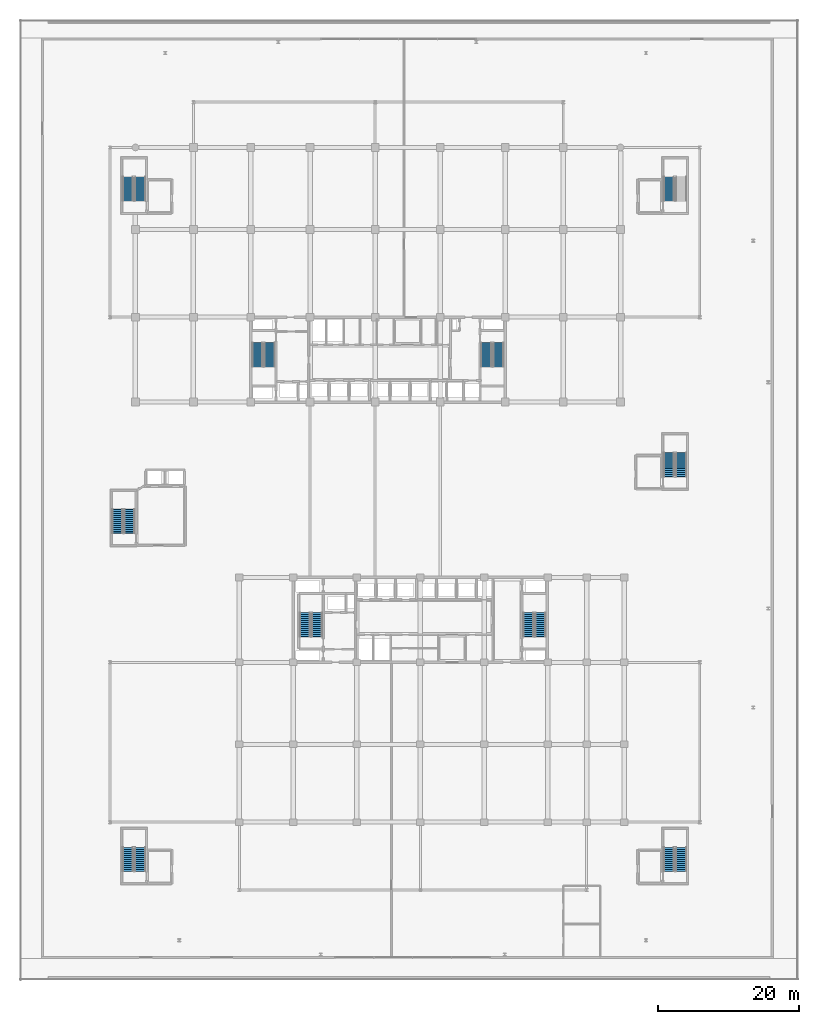
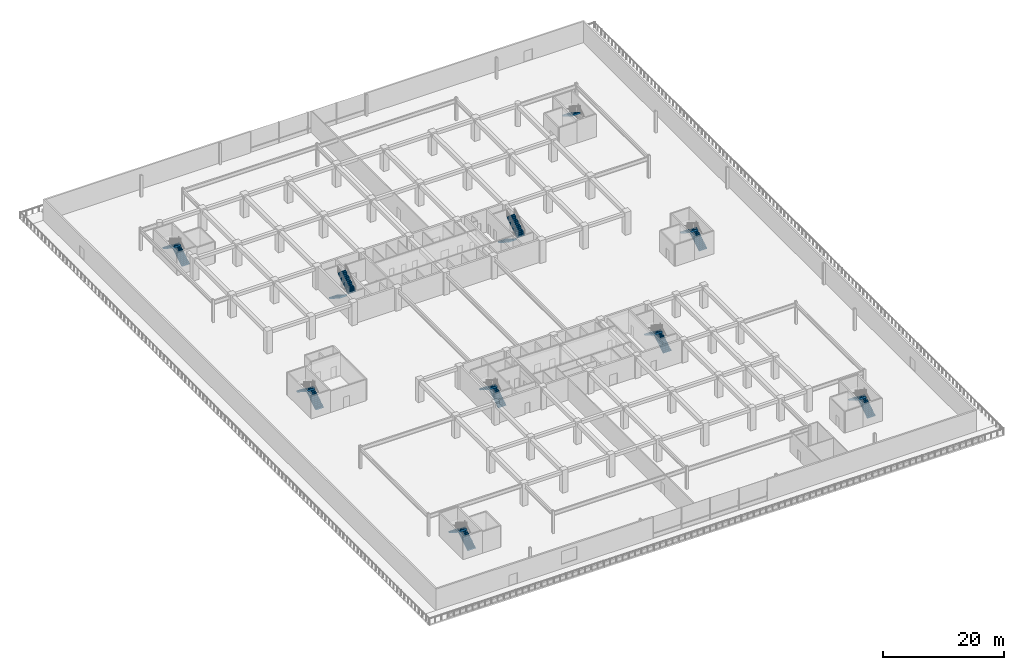
# One storey, part 30 of 45: 19 stair flights, 10 elements without a shape of their own.
"""IFC4 building model written with IfcOpenShell, lengths in metres."""

import ifcopenshell
import ifcopenshell.guid

model = None  # the IFC model being written
_history = None  # IfcOwnerHistory: only IFC2X3 demands one
_inside = {}  # id of a spatial element -> (the spatial element, [elements in it])
_under = {}  # id of a project, library or spatial element -> (it, [spatial elements below it])
_declared = {}  # id of a project -> (the project, [libraries it declares])
_typed = {}  # id of a type object -> (the type object, [elements of that type])
_made_of = {}  # id of a material, layer set ... -> (it, [elements and type objects made of it])


def new_model(schema):
    """Start an empty IFC model of exactly this schema.

    Asked for "IFC4X3", IfcOpenShell would pick the latest addendum, in which some entities
    have other attributes; the version numbers below select the first issue.
    IFC2X3 requires an IfcOwnerHistory on every rooted entity: one is made here for all.
    """
    global model, _history
    if schema == "IFC4X3":
        model = ifcopenshell.file(schema_version=(4, 3, 0, 0))
    else:
        model = ifcopenshell.file(schema=schema)
    _inside.clear()
    _under.clear()
    _declared.clear()
    _typed.clear()
    _made_of.clear()
    _history = None
    if model.schema == "IFC2X3":
        org = make("IfcOrganization", Name="unknown")
        user = make(
            "IfcPersonAndOrganization",
            ThePerson=make("IfcPerson", FamilyName="unknown"),
            TheOrganization=org,
        )
        app = make(
            "IfcApplication",
            ApplicationDeveloper=org,
            Version="unknown",
            ApplicationFullName="unknown",
            ApplicationIdentifier="unknown",
        )
        _history = make(
            "IfcOwnerHistory",
            OwningUser=user,
            OwningApplication=app,
            ChangeAction="ADDED",
            CreationDate=0,
        )
    return model


def make(cls, **values):
    """One entity of the class cls with the attributes given. An attribute that is None is left unset."""
    return model.create_entity(
        cls, **{name: value for name, value in values.items() if value is not None}
    )


def rooted(cls, **values):
    """An entity with a GlobalId (a new one), such as an element, a storey or a relation."""
    return make(cls, GlobalId=ifcopenshell.guid.new(), OwnerHistory=_history, **values)


def si_unit(unit_type, name, prefix=None):
    """IfcSIUnit, for example si_unit("LENGTHUNIT", "METRE", prefix="MILLI")."""
    return make("IfcSIUnit", UnitType=unit_type, Prefix=prefix, Name=name)


def assignment(units):
    """IfcUnitAssignment: the units of a project."""
    return None if units is None else make("IfcUnitAssignment", Units=units)


def point(xyz):
    """IfcCartesianPoint."""
    return None if xyz is None else make("IfcCartesianPoint", Coordinates=xyz)


def direction(xyz):
    """IfcDirection."""
    return None if xyz is None else make("IfcDirection", DirectionRatios=xyz)


def frame(location, z_axis=None, x_axis=None):
    """IfcAxis2Placement3D, a coordinate frame: its origin and axes. An axis left out is left unset."""
    return make(
        "IfcAxis2Placement3D",
        Location=point(location),
        Axis=direction(z_axis),
        RefDirection=direction(x_axis),
    )


def origin():
    """The frame at (0, 0, 0) with its axes left unset."""
    return frame((0.0, 0.0, 0.0))


def place(relative_to, where):
    """IfcLocalPlacement: puts the frame where relative to a parent placement (None: the world)."""
    return make(
        "IfcLocalPlacement", PlacementRelTo=relative_to, RelativePlacement=where
    )


def context(
    kind, dimensions, precision=None, world=None, true_north=None, identifier=None
):
    """IfcGeometricRepresentationContext, for example the 3D "Model" context."""
    return make(
        "IfcGeometricRepresentationContext",
        ContextIdentifier=identifier,
        ContextType=kind,
        CoordinateSpaceDimension=dimensions,
        Precision=precision,
        WorldCoordinateSystem=world,
        TrueNorth=true_north,
    )


def subcontext(parent, identifier, kind, view, scale=None):
    """IfcGeometricRepresentationSubContext, for example "Body" below "Model"."""
    return make(
        "IfcGeometricRepresentationSubContext",
        ContextIdentifier=identifier,
        ContextType=kind,
        ParentContext=parent,
        TargetScale=scale,
        TargetView=view,
    )


def project(units=None, contexts=None):
    """IfcProject with its units and contexts."""
    return rooted(
        "IfcProject",
        Name="project",
        RepresentationContexts=contexts,
        UnitsInContext=assignment(units),
    )


def spatial(cls, under=None, at=None, **own):
    """A site, building, storey or space (cls), placed at a placement, below another one or the project."""
    s = rooted(cls, ObjectPlacement=at, **own)
    if under is not None:
        _under.setdefault(under.id(), (under, []))[1].append(s)
    return s


def polyline(points):
    """IfcPolyline through the points."""
    return make("IfcPolyline", Points=[point(p) for p in points])


def outline(outer, holes=None, kind="AREA"):
    """IfcArbitraryClosedProfileDef: a profile drawn as a closed curve; with holes, ...WithVoids."""
    if holes is None:
        return make("IfcArbitraryClosedProfileDef", ProfileType=kind, OuterCurve=outer)
    return make(
        "IfcArbitraryProfileDefWithVoids",
        ProfileType=kind,
        OuterCurve=outer,
        InnerCurves=holes,
    )


def extrude(swept, where, along, depth):
    """IfcExtrudedAreaSolid: the profile swept, set in the frame where, extruded along a direction by depth."""
    return make(
        "IfcExtrudedAreaSolid",
        SweptArea=swept,
        Position=where,
        ExtrudedDirection=direction(along),
        Depth=depth,
    )


def shape(context_of_items, identifier, shape_type, items):
    """IfcShapeRepresentation: the items that make up one representation, for example the "Body"."""
    return make(
        "IfcShapeRepresentation",
        ContextOfItems=context_of_items,
        RepresentationIdentifier=identifier,
        RepresentationType=shape_type,
        Items=items,
    )


def material(Name=None, Category=None):
    """IfcMaterial."""
    return make("IfcMaterial", Name=Name, Category=Category)


def made_of(thing, what):
    """Note that an element or type object is made of a material, layer set ...; save() writes the relation."""
    if what is not None:
        _made_of.setdefault(what.id(), (what, []))[1].append(thing)
    return thing


def type_object(cls, material=None, **own):
    """A type object (cls), such as IfcWallType, which elements share."""
    return made_of(rooted(cls, **own), material)


def element(
    cls,
    number,
    at=None,
    inside=None,
    cuts=None,
    type_object=None,
    material=None,
    context=None,
    identifier="Body",
    shape_type=None,
    held_by="IfcProductDefinitionShape",
    body=None,
    shapes=None,
    **own,
):
    """One element of the class cls, such as IfcWall. Its Tag is "e" and its number.

    at: its placement. inside: the storey or other place that contains it. cuts: it is an
    opening in that element (IfcRelVoidsElement). A single representation is given by context,
    identifier, shape_type and body (its items); several are given by shapes. held_by: the class
    of the entity that holds the representations. save() writes the other relations.
    """
    e = rooted(cls, Tag="e%d" % number, ObjectPlacement=at, **own)
    if body is not None:
        shapes = [shape(context, identifier, shape_type, body)]
    if shapes is not None:
        e.Representation = make(held_by, Representations=shapes)
    if inside is not None:
        _inside.setdefault(inside.id(), (inside, []))[1].append(e)
    if cuts is not None:
        rooted(
            "IfcRelVoidsElement", RelatingBuildingElement=cuts, RelatedOpeningElement=e
        )
    if type_object is not None:
        _typed.setdefault(type_object.id(), (type_object, []))[1].append(e)
    return made_of(e, material)


def aggregate(whole, parts):
    """IfcRelAggregates: a whole, such as a stair, and the parts it consists of."""
    return rooted("IfcRelAggregates", RelatingObject=whole, RelatedObjects=parts)


def save(model, path):
    """Write the relations noted so far, then the file.

    IfcRelAggregates (storeys below a building ...), IfcRelContainedInSpatialStructure (elements
    in a storey), IfcRelDefinesByType, IfcRelAssociatesMaterial and IfcRelDeclares: one each for
    every whole, place, type object, material and project.
    """
    for whole, parts in _under.values():
        aggregate(whole, parts)
    for where, things in _inside.values():
        rooted(
            "IfcRelContainedInSpatialStructure",
            RelatedElements=things,
            RelatingStructure=where,
        )
    for kind, things in _typed.values():
        rooted("IfcRelDefinesByType", RelatedObjects=things, RelatingType=kind)
    for what, things in _made_of.values():
        rooted("IfcRelAssociatesMaterial", RelatedObjects=things, RelatingMaterial=what)
    for by, libraries in _declared.values():
        rooted("IfcRelDeclares", RelatingContext=by, RelatedDefinitions=libraries)
    model.write(path)


model = new_model("IFC4")

# Units and contexts
model_context = context("Model", 3, precision=1e-05, world=origin(), true_north=direction((0.0, 1.0)))
body_context = subcontext(model_context, "Body", "Model", "MODEL_VIEW")
ifc_project = project(units=[si_unit("LENGTHUNIT", "METRE"), si_unit("AREAUNIT", "SQUARE_METRE"), si_unit("VOLUMEUNIT", "CUBIC_METRE"), si_unit("PLANEANGLEUNIT", "RADIAN"), si_unit("MASSUNIT", "GRAM", prefix="KILO")], contexts=[model_context])

# Site, building, storey
site_placement = place(None, origin())
site = spatial("IfcSite", under=ifc_project, at=site_placement, CompositionType="ELEMENT")
building_placement = place(site_placement, origin())
building = spatial("IfcBuilding", under=site, at=building_placement, Name="Korimba Cascade Residences", CompositionType="ELEMENT")
storey_placement = place(building_placement, frame((0.0, 0.0, 5.39990234375)))
storey = spatial("IfcBuildingStorey", under=building, at=storey_placement, Name="L01", CompositionType="ELEMENT", Elevation=5.39990234375)

# Stair, stair flights
ifc_material = material(Name="Concrete C50/60", Category="concrete")
stair_type_1 = type_object("IfcStairType", Name="STR-W1-26R-1769", PredefinedType="HALF_TURN_STAIR", material=ifc_material)
stair_1_placement = place(storey_placement, origin())
stair_1 = element("IfcStair", 1, at=stair_1_placement, inside=storey, type_object=stair_type_1, Name="L01 Tower 1 West Fire Stair ST-W1", PredefinedType="HALF_TURN_STAIR")
stair_flight_type = type_object("IfcStairFlightType", Name="STF-DL-26R-1769-1520", PredefinedType="STRAIGHT", material=ifc_material)
stair_flight_1_placement = place(storey_placement, frame((77.06005859375, 63.550048828125, 0.0), z_axis=(0.0, 0.0, 1.0), x_axis=(0.0, -1.0, 0.0)))
stair_flight_1 = element("IfcStairFlight", 2, at=stair_flight_1_placement, type_object=stair_flight_type, Name="ST-W1 flight 1", NumberOfRisers=13, NumberOfTreads=12, PredefinedType="STRAIGHT", RiserHeight=0.176923077, TreadLength=0.28, context=body_context, shape_type="SweptSolid", body=[
    extrude(outline(polyline([(-0.0380859375, 0.0), (0.0, 0.177001953125), (0.280029296875, 0.177001953125), (0.280029296875, 0.353759765625), (0.56005859375, 0.353759765625), (0.56005859375, 0.53076171875), (0.840087890625, 0.53076171875), (0.840087890625, 0.707763671875), (1.1201171875, 0.707763671875), (1.1201171875, 0.884521484375), (1.39990234375, 0.884521484375), (1.39990234375, 1.0615234375), (1.679931640625, 1.0615234375), (1.679931640625, 1.238525390625), (1.9599609375, 1.238525390625), (1.9599609375, 1.415283203125), (2.239990234375, 1.415283203125), (2.239990234375, 1.59228515625), (2.52001953125, 1.59228515625), (2.52001953125, 1.769287109375), (2.800048828125, 1.769287109375), (2.800048828125, 1.946044921875), (3.080078125, 1.946044921875), (3.080078125, 2.123046875), (3.360107421875, 2.123046875), (3.360107421875, 2.300048828125), (3.39794921875, 2.300048828125), (3.39794921875, 1.94580078125), (0.280517578125, 0.0), (0.280517578125, -0.0380859375), (-0.0380859375, -0.0380859375), (-0.0380859375, 0.0)])), frame((0.0, 0.760009765625, 0.0), z_axis=(0.0, -1.0, 0.0), x_axis=(1.0, 0.0, 0.0)), (0.0, 0.0, 1.0), 1.52001953125),
])
stair_flight_2_placement = place(storey_placement, frame((78.780029296875, 60.18994140625, 2.300048828125), z_axis=(0.0, 0.0, 1.0), x_axis=(0.0, 1.0, 0.0)))
stair_flight_2 = element("IfcStairFlight", 3, at=stair_flight_2_placement, type_object=stair_flight_type, Name="ST-W1 flight 2", NumberOfRisers=13, NumberOfTreads=12, PredefinedType="STRAIGHT", RiserHeight=0.176923077, TreadLength=0.28, context=body_context, shape_type="SweptSolid", body=[
    extrude(outline(polyline([(-0.0380859375, 0.0), (0.0, 0.177001953125), (0.280029296875, 0.177001953125), (0.280029296875, 0.353759765625), (0.56005859375, 0.353759765625), (0.56005859375, 0.53076171875), (0.840087890625, 0.53076171875), (0.840087890625, 0.707763671875), (1.1201171875, 0.707763671875), (1.1201171875, 0.884521484375), (1.39990234375, 0.884521484375), (1.39990234375, 1.0615234375), (1.679931640625, 1.0615234375), (1.679931640625, 1.238525390625), (1.9599609375, 1.238525390625), (1.9599609375, 1.415283203125), (2.239990234375, 1.415283203125), (2.239990234375, 1.59228515625), (2.52001953125, 1.59228515625), (2.52001953125, 1.769287109375), (2.800048828125, 1.769287109375), (2.800048828125, 1.946044921875), (3.080078125, 1.946044921875), (3.080078125, 2.123046875), (3.360107421875, 2.123046875), (3.360107421875, 2.300048828125), (3.39794921875, 2.300048828125), (3.39794921875, 1.94580078125), (0.280517578125, 0.0), (0.280517578125, -0.0380859375), (-0.0380859375, -0.0380859375), (-0.0380859375, 0.0)])), frame((0.0, 0.760009765625, 0.0), z_axis=(0.0, -1.0, 0.0), x_axis=(1.0, 0.0, 0.0)), (0.0, 0.0, 1.0), 1.52001953125),
])
aggregate(stair_1, [stair_flight_1, stair_flight_2])

stair_type_2 = type_object("IfcStairType", Name="STR-W2-26R-1769", PredefinedType="HALF_TURN_STAIR", material=ifc_material)
stair_2_placement = place(storey_placement, origin())
stair_2 = element("IfcStair", 4, at=stair_2_placement, inside=storey, type_object=stair_type_2, Name="L01 Tower 1 East Fire Stair ST-W2", PredefinedType="HALF_TURN_STAIR")
stair_flight_3_placement = place(storey_placement, frame((109.419921875, 63.550048828125, 0.0), z_axis=(0.0, 0.0, 1.0), x_axis=(0.0, -1.0, 0.0)))
stair_flight_3 = element("IfcStairFlight", 5, at=stair_flight_3_placement, type_object=stair_flight_type, Name="ST-W2 flight 1", NumberOfRisers=13, NumberOfTreads=12, PredefinedType="STRAIGHT", RiserHeight=0.176923077, TreadLength=0.28, context=body_context, shape_type="SweptSolid", body=[
    extrude(outline(polyline([(-0.0380859375, 0.0), (0.0, 0.177001953125), (0.280029296875, 0.177001953125), (0.280029296875, 0.353759765625), (0.56005859375, 0.353759765625), (0.56005859375, 0.53076171875), (0.840087890625, 0.53076171875), (0.840087890625, 0.707763671875), (1.1201171875, 0.707763671875), (1.1201171875, 0.884521484375), (1.39990234375, 0.884521484375), (1.39990234375, 1.0615234375), (1.679931640625, 1.0615234375), (1.679931640625, 1.238525390625), (1.9599609375, 1.238525390625), (1.9599609375, 1.415283203125), (2.239990234375, 1.415283203125), (2.239990234375, 1.59228515625), (2.52001953125, 1.59228515625), (2.52001953125, 1.769287109375), (2.800048828125, 1.769287109375), (2.800048828125, 1.946044921875), (3.080078125, 1.946044921875), (3.080078125, 2.123046875), (3.360107421875, 2.123046875), (3.360107421875, 2.300048828125), (3.39794921875, 2.300048828125), (3.39794921875, 1.94580078125), (0.280517578125, 0.0), (0.280517578125, -0.0380859375), (-0.0380859375, -0.0380859375), (-0.0380859375, 0.0)])), frame((0.0, 0.760009765625, 0.0), z_axis=(0.0, -1.0, 0.0), x_axis=(1.0, 0.0, 0.0)), (0.0, 0.0, 1.0), 1.52001953125),
])
stair_flight_4_placement = place(storey_placement, frame((111.139892578125, 60.18994140625, 2.300048828125), z_axis=(0.0, 0.0, 1.0), x_axis=(0.0, 1.0, 0.0)))
stair_flight_4 = element("IfcStairFlight", 6, at=stair_flight_4_placement, type_object=stair_flight_type, Name="ST-W2 flight 2", NumberOfRisers=13, NumberOfTreads=12, PredefinedType="STRAIGHT", RiserHeight=0.176923077, TreadLength=0.28, context=body_context, shape_type="SweptSolid", body=[
    extrude(outline(polyline([(-0.0380859375, 0.0), (0.0, 0.177001953125), (0.280029296875, 0.177001953125), (0.280029296875, 0.353759765625), (0.56005859375, 0.353759765625), (0.56005859375, 0.53076171875), (0.840087890625, 0.53076171875), (0.840087890625, 0.707763671875), (1.1201171875, 0.707763671875), (1.1201171875, 0.884521484375), (1.39990234375, 0.884521484375), (1.39990234375, 1.0615234375), (1.679931640625, 1.0615234375), (1.679931640625, 1.238525390625), (1.9599609375, 1.238525390625), (1.9599609375, 1.415283203125), (2.239990234375, 1.415283203125), (2.239990234375, 1.59228515625), (2.52001953125, 1.59228515625), (2.52001953125, 1.769287109375), (2.800048828125, 1.769287109375), (2.800048828125, 1.946044921875), (3.080078125, 1.946044921875), (3.080078125, 2.123046875), (3.360107421875, 2.123046875), (3.360107421875, 2.300048828125), (3.39794921875, 2.300048828125), (3.39794921875, 1.94580078125), (0.280517578125, 0.0), (0.280517578125, -0.0380859375), (-0.0380859375, -0.0380859375), (-0.0380859375, 0.0)])), frame((0.0, 0.760009765625, 0.0), z_axis=(0.0, -1.0, 0.0), x_axis=(1.0, 0.0, 0.0)), (0.0, 0.0, 1.0), 1.52001953125),
])
aggregate(stair_2, [stair_flight_3, stair_flight_4])

stair_type_3 = type_object("IfcStairType", Name="STR-E1-26R-1769", PredefinedType="HALF_TURN_STAIR", material=ifc_material)
stair_3_placement = place(storey_placement, origin())
stair_3 = element("IfcStair", 7, at=stair_3_placement, inside=storey, type_object=stair_type_3, Name="L01 Tower 2 West Fire Stair ST-E1", PredefinedType="HALF_TURN_STAIR")
stair_flight_5_placement = place(storey_placement, frame((85.47998046875, 22.050048828125, 0.0), z_axis=(0.0, 0.0, 1.0), x_axis=(0.0, 1.0, 0.0)))
stair_flight_5 = element("IfcStairFlight", 8, at=stair_flight_5_placement, type_object=stair_flight_type, Name="ST-E1 flight 1", NumberOfRisers=13, NumberOfTreads=12, PredefinedType="STRAIGHT", RiserHeight=0.176923077, TreadLength=0.28, context=body_context, shape_type="SweptSolid", body=[
    extrude(outline(polyline([(-0.0380859375, 0.0), (0.0, 0.177001953125), (0.280029296875, 0.177001953125), (0.280029296875, 0.353759765625), (0.56005859375, 0.353759765625), (0.56005859375, 0.53076171875), (0.840087890625, 0.53076171875), (0.840087890625, 0.707763671875), (1.1201171875, 0.707763671875), (1.1201171875, 0.884521484375), (1.39990234375, 0.884521484375), (1.39990234375, 1.0615234375), (1.679931640625, 1.0615234375), (1.679931640625, 1.238525390625), (1.9599609375, 1.238525390625), (1.9599609375, 1.415283203125), (2.239990234375, 1.415283203125), (2.239990234375, 1.59228515625), (2.52001953125, 1.59228515625), (2.52001953125, 1.769287109375), (2.800048828125, 1.769287109375), (2.800048828125, 1.946044921875), (3.080078125, 1.946044921875), (3.080078125, 2.123046875), (3.360107421875, 2.123046875), (3.360107421875, 2.300048828125), (3.39794921875, 2.300048828125), (3.39794921875, 1.94580078125), (0.280517578125, 0.0), (0.280517578125, -0.0380859375), (-0.0380859375, -0.0380859375), (-0.0380859375, 0.0)])), frame((0.0, 0.760009765625, 0.0), z_axis=(0.0, -1.0, 0.0), x_axis=(1.0, 0.0, 0.0)), (0.0, 0.0, 1.0), 1.52001953125),
])
stair_flight_6_placement = place(storey_placement, frame((83.760009765625, 25.409912109375, 2.300048828125), z_axis=(0.0, 0.0, 1.0), x_axis=(0.0, -1.0, 0.0)))
stair_flight_6 = element("IfcStairFlight", 9, at=stair_flight_6_placement, type_object=stair_flight_type, Name="ST-E1 flight 2", NumberOfRisers=13, NumberOfTreads=12, PredefinedType="STRAIGHT", RiserHeight=0.176923077, TreadLength=0.28, context=body_context, shape_type="SweptSolid", body=[
    extrude(outline(polyline([(-0.0380859375, 0.0), (0.0, 0.177001953125), (0.280029296875, 0.177001953125), (0.280029296875, 0.353759765625), (0.56005859375, 0.353759765625), (0.56005859375, 0.53076171875), (0.840087890625, 0.53076171875), (0.840087890625, 0.707763671875), (1.1201171875, 0.707763671875), (1.1201171875, 0.884521484375), (1.39990234375, 0.884521484375), (1.39990234375, 1.0615234375), (1.679931640625, 1.0615234375), (1.679931640625, 1.238525390625), (1.9599609375, 1.238525390625), (1.9599609375, 1.415283203125), (2.239990234375, 1.415283203125), (2.239990234375, 1.59228515625), (2.52001953125, 1.59228515625), (2.52001953125, 1.769287109375), (2.800048828125, 1.769287109375), (2.800048828125, 1.946044921875), (3.080078125, 1.946044921875), (3.080078125, 2.123046875), (3.360107421875, 2.123046875), (3.360107421875, 2.300048828125), (3.39794921875, 2.300048828125), (3.39794921875, 1.94580078125), (0.280517578125, 0.0), (0.280517578125, -0.0380859375), (-0.0380859375, -0.0380859375), (-0.0380859375, 0.0)])), frame((0.0, 0.760009765625, 0.0), z_axis=(0.0, -1.0, 0.0), x_axis=(1.0, 0.0, 0.0)), (0.0, 0.0, 1.0), 1.52001953125),
])
aggregate(stair_3, [stair_flight_5, stair_flight_6])

stair_type_4 = type_object("IfcStairType", Name="STR-E2-26R-1769", PredefinedType="HALF_TURN_STAIR", material=ifc_material)
stair_4_placement = place(storey_placement, origin())
stair_4 = element("IfcStair", 10, at=stair_4_placement, inside=storey, type_object=stair_type_4, Name="L01 Tower 2 East Fire Stair ST-E2", PredefinedType="HALF_TURN_STAIR")
stair_flight_7_placement = place(storey_placement, frame((117.080078125, 22.050048828125, 0.0), z_axis=(0.0, 0.0, 1.0), x_axis=(0.0, 1.0, 0.0)))
stair_flight_7 = element("IfcStairFlight", 11, at=stair_flight_7_placement, type_object=stair_flight_type, Name="ST-E2 flight 1", NumberOfRisers=13, NumberOfTreads=12, PredefinedType="STRAIGHT", RiserHeight=0.176923077, TreadLength=0.28, context=body_context, shape_type="SweptSolid", body=[
    extrude(outline(polyline([(-0.0380859375, 0.0), (0.0, 0.177001953125), (0.280029296875, 0.177001953125), (0.280029296875, 0.353759765625), (0.56005859375, 0.353759765625), (0.56005859375, 0.53076171875), (0.840087890625, 0.53076171875), (0.840087890625, 0.707763671875), (1.1201171875, 0.707763671875), (1.1201171875, 0.884521484375), (1.39990234375, 0.884521484375), (1.39990234375, 1.0615234375), (1.679931640625, 1.0615234375), (1.679931640625, 1.238525390625), (1.9599609375, 1.238525390625), (1.9599609375, 1.415283203125), (2.239990234375, 1.415283203125), (2.239990234375, 1.59228515625), (2.52001953125, 1.59228515625), (2.52001953125, 1.769287109375), (2.800048828125, 1.769287109375), (2.800048828125, 1.946044921875), (3.080078125, 1.946044921875), (3.080078125, 2.123046875), (3.360107421875, 2.123046875), (3.360107421875, 2.300048828125), (3.39794921875, 2.300048828125), (3.39794921875, 1.94580078125), (0.280517578125, 0.0), (0.280517578125, -0.0380859375), (-0.0380859375, -0.0380859375), (-0.0380859375, 0.0)])), frame((0.0, 0.760009765625, 0.0), z_axis=(0.0, -1.0, 0.0), x_axis=(1.0, 0.0, 0.0)), (0.0, 0.0, 1.0), 1.52001953125),
])
stair_flight_8_placement = place(storey_placement, frame((115.360107421875, 25.409912109375, 2.300048828125), z_axis=(0.0, 0.0, 1.0), x_axis=(0.0, -1.0, 0.0)))
stair_flight_8 = element("IfcStairFlight", 12, at=stair_flight_8_placement, type_object=stair_flight_type, Name="ST-E2 flight 2", NumberOfRisers=13, NumberOfTreads=12, PredefinedType="STRAIGHT", RiserHeight=0.176923077, TreadLength=0.28, context=body_context, shape_type="SweptSolid", body=[
    extrude(outline(polyline([(-0.0380859375, 0.0), (0.0, 0.177001953125), (0.280029296875, 0.177001953125), (0.280029296875, 0.353759765625), (0.56005859375, 0.353759765625), (0.56005859375, 0.53076171875), (0.840087890625, 0.53076171875), (0.840087890625, 0.707763671875), (1.1201171875, 0.707763671875), (1.1201171875, 0.884521484375), (1.39990234375, 0.884521484375), (1.39990234375, 1.0615234375), (1.679931640625, 1.0615234375), (1.679931640625, 1.238525390625), (1.9599609375, 1.238525390625), (1.9599609375, 1.415283203125), (2.239990234375, 1.415283203125), (2.239990234375, 1.59228515625), (2.52001953125, 1.59228515625), (2.52001953125, 1.769287109375), (2.800048828125, 1.769287109375), (2.800048828125, 1.946044921875), (3.080078125, 1.946044921875), (3.080078125, 2.123046875), (3.360107421875, 2.123046875), (3.360107421875, 2.300048828125), (3.39794921875, 2.300048828125), (3.39794921875, 1.94580078125), (0.280517578125, 0.0), (0.280517578125, -0.0380859375), (-0.0380859375, -0.0380859375), (-0.0380859375, 0.0)])), frame((0.0, 0.760009765625, 0.0), z_axis=(0.0, -1.0, 0.0), x_axis=(1.0, 0.0, 0.0)), (0.0, 0.0, 1.0), 1.52001953125),
])
aggregate(stair_4, [stair_flight_7, stair_flight_8])

stair_type_5 = type_object("IfcStairType", Name="STR-P1-26R-1769", PredefinedType="HALF_TURN_STAIR", material=ifc_material)
stair_5_placement = place(storey_placement, origin())
stair_5 = element("IfcStair", 13, at=stair_5_placement, inside=storey, type_object=stair_type_5, Name="L01 Podium West Fire Stair ST-P1", PredefinedType="HALF_TURN_STAIR")
stair_flight_9_placement = place(storey_placement, frame((58.97998046875, 36.64990234375, 0.0), z_axis=(0.0, 0.0, 1.0), x_axis=(0.0, 1.0, 0.0)))
stair_flight_9 = element("IfcStairFlight", 14, at=stair_flight_9_placement, type_object=stair_flight_type, Name="ST-P1 flight 1", NumberOfRisers=13, NumberOfTreads=12, PredefinedType="STRAIGHT", RiserHeight=0.176923077, TreadLength=0.28, context=body_context, shape_type="SweptSolid", body=[
    extrude(outline(polyline([(-0.0380859375, 0.0), (0.0, 0.177001953125), (0.280029296875, 0.177001953125), (0.280029296875, 0.353759765625), (0.56005859375, 0.353759765625), (0.56005859375, 0.53076171875), (0.840087890625, 0.53076171875), (0.840087890625, 0.707763671875), (1.1201171875, 0.707763671875), (1.1201171875, 0.884521484375), (1.39990234375, 0.884521484375), (1.39990234375, 1.0615234375), (1.679931640625, 1.0615234375), (1.679931640625, 1.238525390625), (1.9599609375, 1.238525390625), (1.9599609375, 1.415283203125), (2.239990234375, 1.415283203125), (2.239990234375, 1.59228515625), (2.52001953125, 1.59228515625), (2.52001953125, 1.769287109375), (2.800048828125, 1.769287109375), (2.800048828125, 1.946044921875), (3.080078125, 1.946044921875), (3.080078125, 2.123046875), (3.360107421875, 2.123046875), (3.360107421875, 2.300048828125), (3.39794921875, 2.300048828125), (3.39794921875, 1.94580078125), (0.280517578125, 0.0), (0.280517578125, -0.0380859375), (-0.0380859375, -0.0380859375), (-0.0380859375, 0.0)])), frame((0.0, 0.760009765625, 0.0), z_axis=(0.0, -1.0, 0.0), x_axis=(1.0, 0.0, 0.0)), (0.0, 0.0, 1.0), 1.52001953125),
])
stair_flight_10_placement = place(storey_placement, frame((57.260009765625, 40.010009765625, 2.300048828125), z_axis=(0.0, 0.0, 1.0), x_axis=(0.0, -1.0, 0.0)))
stair_flight_10 = element("IfcStairFlight", 15, at=stair_flight_10_placement, type_object=stair_flight_type, Name="ST-P1 flight 2", NumberOfRisers=13, NumberOfTreads=12, PredefinedType="STRAIGHT", RiserHeight=0.176923077, TreadLength=0.28, context=body_context, shape_type="SweptSolid", body=[
    extrude(outline(polyline([(-0.0380859375, 0.0), (0.0, 0.177001953125), (0.280029296875, 0.177001953125), (0.280029296875, 0.353759765625), (0.56005859375, 0.353759765625), (0.56005859375, 0.53076171875), (0.840087890625, 0.53076171875), (0.840087890625, 0.707763671875), (1.1201171875, 0.707763671875), (1.1201171875, 0.884521484375), (1.39990234375, 0.884521484375), (1.39990234375, 1.0615234375), (1.679931640625, 1.0615234375), (1.679931640625, 1.238525390625), (1.9599609375, 1.238525390625), (1.9599609375, 1.415283203125), (2.239990234375, 1.415283203125), (2.239990234375, 1.59228515625), (2.52001953125, 1.59228515625), (2.52001953125, 1.769287109375), (2.800048828125, 1.769287109375), (2.800048828125, 1.946044921875), (3.080078125, 1.946044921875), (3.080078125, 2.123046875), (3.360107421875, 2.123046875), (3.360107421875, 2.300048828125), (3.39794921875, 2.300048828125), (3.39794921875, 1.94580078125), (0.280517578125, 0.0), (0.280517578125, -0.0380859375), (-0.0380859375, -0.0380859375), (-0.0380859375, 0.0)])), frame((0.0, 0.760009765625, 0.0), z_axis=(0.0, -1.0, 0.0), x_axis=(1.0, 0.0, 0.0)), (0.0, 0.0, 1.0), 1.52001953125),
])
aggregate(stair_5, [stair_flight_9, stair_flight_10])

stair_type_6 = type_object("IfcStairType", Name="STR-P2-26R-1769", PredefinedType="HALF_TURN_STAIR", material=ifc_material)
stair_6_placement = place(storey_placement, origin())
stair_6 = element("IfcStair", 16, at=stair_6_placement, inside=storey, type_object=stair_type_6, Name="L01 Podium East Fire Stair ST-P2", PredefinedType="HALF_TURN_STAIR")
stair_flight_11_placement = place(storey_placement, frame((136.97998046875, 44.64990234375, 0.0), z_axis=(0.0, 0.0, 1.0), x_axis=(0.0, 1.0, 0.0)))
stair_flight_11 = element("IfcStairFlight", 17, at=stair_flight_11_placement, type_object=stair_flight_type, Name="ST-P2 flight 1", NumberOfRisers=13, NumberOfTreads=12, PredefinedType="STRAIGHT", RiserHeight=0.176923077, TreadLength=0.28, context=body_context, shape_type="SweptSolid", body=[
    extrude(outline(polyline([(-0.0380859375, 0.0), (0.0, 0.177001953125), (0.280029296875, 0.177001953125), (0.280029296875, 0.353759765625), (0.56005859375, 0.353759765625), (0.56005859375, 0.53076171875), (0.840087890625, 0.53076171875), (0.840087890625, 0.707763671875), (1.1201171875, 0.707763671875), (1.1201171875, 0.884521484375), (1.39990234375, 0.884521484375), (1.39990234375, 1.0615234375), (1.679931640625, 1.0615234375), (1.679931640625, 1.238525390625), (1.9599609375, 1.238525390625), (1.9599609375, 1.415283203125), (2.239990234375, 1.415283203125), (2.239990234375, 1.59228515625), (2.52001953125, 1.59228515625), (2.52001953125, 1.769287109375), (2.800048828125, 1.769287109375), (2.800048828125, 1.946044921875), (3.080078125, 1.946044921875), (3.080078125, 2.123046875), (3.360107421875, 2.123046875), (3.360107421875, 2.300048828125), (3.39794921875, 2.300048828125), (3.39794921875, 1.94580078125), (0.280517578125, 0.0), (0.280517578125, -0.0380859375), (-0.0380859375, -0.0380859375), (-0.0380859375, 0.0)])), frame((0.0, 0.760009765625, 0.0), z_axis=(0.0, -1.0, 0.0), x_axis=(1.0, 0.0, 0.0)), (0.0, 0.0, 1.0), 1.52001953125),
])
stair_flight_12_placement = place(storey_placement, frame((135.260009765625, 48.010009765625, 2.300048828125), z_axis=(0.0, 0.0, 1.0), x_axis=(0.0, -1.0, 0.0)))
stair_flight_12 = element("IfcStairFlight", 18, at=stair_flight_12_placement, type_object=stair_flight_type, Name="ST-P2 flight 2", NumberOfRisers=13, NumberOfTreads=12, PredefinedType="STRAIGHT", RiserHeight=0.176923077, TreadLength=0.28, context=body_context, shape_type="SweptSolid", body=[
    extrude(outline(polyline([(-0.0380859375, 0.0), (0.0, 0.177001953125), (0.280029296875, 0.177001953125), (0.280029296875, 0.353759765625), (0.56005859375, 0.353759765625), (0.56005859375, 0.53076171875), (0.840087890625, 0.53076171875), (0.840087890625, 0.707763671875), (1.1201171875, 0.707763671875), (1.1201171875, 0.884521484375), (1.39990234375, 0.884521484375), (1.39990234375, 1.0615234375), (1.679931640625, 1.0615234375), (1.679931640625, 1.238525390625), (1.9599609375, 1.238525390625), (1.9599609375, 1.415283203125), (2.239990234375, 1.415283203125), (2.239990234375, 1.59228515625), (2.52001953125, 1.59228515625), (2.52001953125, 1.769287109375), (2.800048828125, 1.769287109375), (2.800048828125, 1.946044921875), (3.080078125, 1.946044921875), (3.080078125, 2.123046875), (3.360107421875, 2.123046875), (3.360107421875, 2.300048828125), (3.39794921875, 2.300048828125), (3.39794921875, 1.94580078125), (0.280517578125, 0.0), (0.280517578125, -0.0380859375), (-0.0380859375, -0.0380859375), (-0.0380859375, 0.0)])), frame((0.0, 0.760009765625, 0.0), z_axis=(0.0, -1.0, 0.0), x_axis=(1.0, 0.0, 0.0)), (0.0, 0.0, 1.0), 1.52001953125),
])
aggregate(stair_6, [stair_flight_11, stair_flight_12])

stair_type_7 = type_object("IfcStairType", Name="STR-P3-26R-1769", PredefinedType="HALF_TURN_STAIR", material=ifc_material)
stair_7_placement = place(storey_placement, origin())
stair_7 = element("IfcStair", 19, at=stair_7_placement, inside=storey, type_object=stair_type_7, Name="L01 Podium South-West Corner Fire Stair ST-P3", PredefinedType="HALF_TURN_STAIR")
stair_flight_13_placement = place(storey_placement, frame((60.47998046875, -11.14990234375, 0.0), z_axis=(0.0, 0.0, 1.0), x_axis=(0.0, 1.0, 0.0)))
stair_flight_13 = element("IfcStairFlight", 20, at=stair_flight_13_placement, type_object=stair_flight_type, Name="ST-P3 flight 1", NumberOfRisers=13, NumberOfTreads=12, PredefinedType="STRAIGHT", RiserHeight=0.176923077, TreadLength=0.28, context=body_context, shape_type="SweptSolid", body=[
    extrude(outline(polyline([(-0.0380859375, 0.0), (0.0, 0.177001953125), (0.280029296875, 0.177001953125), (0.280029296875, 0.353759765625), (0.56005859375, 0.353759765625), (0.56005859375, 0.53076171875), (0.840087890625, 0.53076171875), (0.840087890625, 0.707763671875), (1.1201171875, 0.707763671875), (1.1201171875, 0.884521484375), (1.39990234375, 0.884521484375), (1.39990234375, 1.0615234375), (1.679931640625, 1.0615234375), (1.679931640625, 1.238525390625), (1.9599609375, 1.238525390625), (1.9599609375, 1.415283203125), (2.239990234375, 1.415283203125), (2.239990234375, 1.59228515625), (2.52001953125, 1.59228515625), (2.52001953125, 1.769287109375), (2.800048828125, 1.769287109375), (2.800048828125, 1.946044921875), (3.080078125, 1.946044921875), (3.080078125, 2.123046875), (3.360107421875, 2.123046875), (3.360107421875, 2.300048828125), (3.39794921875, 2.300048828125), (3.39794921875, 1.94580078125), (0.280517578125, 0.0), (0.280517578125, -0.0380859375), (-0.0380859375, -0.0380859375), (-0.0380859375, 0.0)])), frame((0.0, 0.760009765625, 0.0), z_axis=(0.0, -1.0, 0.0), x_axis=(1.0, 0.0, 0.0)), (0.0, 0.0, 1.0), 1.52001953125),
])
stair_flight_14_placement = place(storey_placement, frame((58.760009765625, -7.7900390625, 2.300048828125), z_axis=(0.0, 0.0, 1.0), x_axis=(0.0, -1.0, 0.0)))
stair_flight_14 = element("IfcStairFlight", 21, at=stair_flight_14_placement, type_object=stair_flight_type, Name="ST-P3 flight 2", NumberOfRisers=13, NumberOfTreads=12, PredefinedType="STRAIGHT", RiserHeight=0.176923077, TreadLength=0.28, context=body_context, shape_type="SweptSolid", body=[
    extrude(outline(polyline([(-0.0380859375, 0.0), (0.0, 0.177001953125), (0.280029296875, 0.177001953125), (0.280029296875, 0.353759765625), (0.56005859375, 0.353759765625), (0.56005859375, 0.53076171875), (0.840087890625, 0.53076171875), (0.840087890625, 0.707763671875), (1.1201171875, 0.707763671875), (1.1201171875, 0.884521484375), (1.39990234375, 0.884521484375), (1.39990234375, 1.0615234375), (1.679931640625, 1.0615234375), (1.679931640625, 1.238525390625), (1.9599609375, 1.238525390625), (1.9599609375, 1.415283203125), (2.239990234375, 1.415283203125), (2.239990234375, 1.59228515625), (2.52001953125, 1.59228515625), (2.52001953125, 1.769287109375), (2.800048828125, 1.769287109375), (2.800048828125, 1.946044921875), (3.080078125, 1.946044921875), (3.080078125, 2.123046875), (3.360107421875, 2.123046875), (3.360107421875, 2.300048828125), (3.39794921875, 2.300048828125), (3.39794921875, 1.94580078125), (0.280517578125, 0.0), (0.280517578125, -0.0380859375), (-0.0380859375, -0.0380859375), (-0.0380859375, 0.0)])), frame((0.0, 0.760009765625, 0.0), z_axis=(0.0, -1.0, 0.0), x_axis=(1.0, 0.0, 0.0)), (0.0, 0.0, 1.0), 1.52001953125),
])
aggregate(stair_7, [stair_flight_13, stair_flight_14])

# Stair, stair flight
stair_type_8 = type_object("IfcStairType", Name="STR-P4-26R-1769", PredefinedType="HALF_TURN_STAIR", material=ifc_material)
stair_8_placement = place(storey_placement, origin())
stair_8 = element("IfcStair", 22, at=stair_8_placement, inside=storey, type_object=stair_type_8, Name="L01 Podium North-East Corner Fire Stair ST-P4", PredefinedType="HALF_TURN_STAIR")
stair_flight_15_placement = place(storey_placement, frame((135.260009765625, 87.010009765625, 2.300048828125), z_axis=(0.0, 0.0, 1.0), x_axis=(0.0, -1.0, 0.0)))
stair_flight_15 = element("IfcStairFlight", 23, at=stair_flight_15_placement, type_object=stair_flight_type, Name="ST-P4 flight 2", NumberOfRisers=13, NumberOfTreads=12, PredefinedType="STRAIGHT", RiserHeight=0.176923077, TreadLength=0.28, context=body_context, shape_type="SweptSolid", body=[
    extrude(outline(polyline([(-0.0380859375, 0.0), (0.0, 0.177001953125), (0.280029296875, 0.177001953125), (0.280029296875, 0.353759765625), (0.56005859375, 0.353759765625), (0.56005859375, 0.53076171875), (0.840087890625, 0.53076171875), (0.840087890625, 0.707763671875), (1.1201171875, 0.707763671875), (1.1201171875, 0.884521484375), (1.39990234375, 0.884521484375), (1.39990234375, 1.0615234375), (1.679931640625, 1.0615234375), (1.679931640625, 1.238525390625), (1.9599609375, 1.238525390625), (1.9599609375, 1.415283203125), (2.239990234375, 1.415283203125), (2.239990234375, 1.59228515625), (2.52001953125, 1.59228515625), (2.52001953125, 1.769287109375), (2.800048828125, 1.769287109375), (2.800048828125, 1.946044921875), (3.080078125, 1.946044921875), (3.080078125, 2.123046875), (3.360107421875, 2.123046875), (3.360107421875, 2.300048828125), (3.39794921875, 2.300048828125), (3.39794921875, 1.94580078125), (0.280517578125, 0.0), (0.280517578125, -0.0380859375), (-0.0380859375, -0.0380859375), (-0.0380859375, 0.0)])), frame((0.0, 0.760009765625, 0.0), z_axis=(0.0, -1.0, 0.0), x_axis=(1.0, 0.0, 0.0)), (0.0, 0.0, 1.0), 1.52001953125),
])
aggregate(stair_8, [stair_flight_15])

# Stair, stair flights
stair_type_9 = type_object("IfcStairType", Name="STR-P5-26R-1769", PredefinedType="HALF_TURN_STAIR", material=ifc_material)
stair_9_placement = place(storey_placement, origin())
stair_9 = element("IfcStair", 24, at=stair_9_placement, inside=storey, type_object=stair_type_9, Name="L01 Podium North-West Corner Fire Stair ST-P5", PredefinedType="HALF_TURN_STAIR")
stair_flight_16_placement = place(storey_placement, frame((60.47998046875, 83.64990234375, 0.0), z_axis=(0.0, 0.0, 1.0), x_axis=(0.0, 1.0, 0.0)))
stair_flight_16 = element("IfcStairFlight", 25, at=stair_flight_16_placement, type_object=stair_flight_type, Name="ST-P5 flight 1", NumberOfRisers=13, NumberOfTreads=12, PredefinedType="STRAIGHT", RiserHeight=0.176923077, TreadLength=0.28, context=body_context, shape_type="SweptSolid", body=[
    extrude(outline(polyline([(-0.0380859375, 0.0), (0.0, 0.177001953125), (0.280029296875, 0.177001953125), (0.280029296875, 0.353759765625), (0.56005859375, 0.353759765625), (0.56005859375, 0.53076171875), (0.840087890625, 0.53076171875), (0.840087890625, 0.707763671875), (1.1201171875, 0.707763671875), (1.1201171875, 0.884521484375), (1.39990234375, 0.884521484375), (1.39990234375, 1.0615234375), (1.679931640625, 1.0615234375), (1.679931640625, 1.238525390625), (1.9599609375, 1.238525390625), (1.9599609375, 1.415283203125), (2.239990234375, 1.415283203125), (2.239990234375, 1.59228515625), (2.52001953125, 1.59228515625), (2.52001953125, 1.769287109375), (2.800048828125, 1.769287109375), (2.800048828125, 1.946044921875), (3.080078125, 1.946044921875), (3.080078125, 2.123046875), (3.360107421875, 2.123046875), (3.360107421875, 2.300048828125), (3.39794921875, 2.300048828125), (3.39794921875, 1.94580078125), (0.280517578125, 0.0), (0.280517578125, -0.0380859375), (-0.0380859375, -0.0380859375), (-0.0380859375, 0.0)])), frame((0.0, 0.760009765625, 0.0), z_axis=(0.0, -1.0, 0.0), x_axis=(1.0, 0.0, 0.0)), (0.0, 0.0, 1.0), 1.52001953125),
])
stair_flight_17_placement = place(storey_placement, frame((58.760009765625, 87.010009765625, 2.300048828125), z_axis=(0.0, 0.0, 1.0), x_axis=(0.0, -1.0, 0.0)))
stair_flight_17 = element("IfcStairFlight", 26, at=stair_flight_17_placement, type_object=stair_flight_type, Name="ST-P5 flight 2", NumberOfRisers=13, NumberOfTreads=12, PredefinedType="STRAIGHT", RiserHeight=0.176923077, TreadLength=0.28, context=body_context, shape_type="SweptSolid", body=[
    extrude(outline(polyline([(-0.0380859375, 0.0), (0.0, 0.177001953125), (0.280029296875, 0.177001953125), (0.280029296875, 0.353759765625), (0.56005859375, 0.353759765625), (0.56005859375, 0.53076171875), (0.840087890625, 0.53076171875), (0.840087890625, 0.707763671875), (1.1201171875, 0.707763671875), (1.1201171875, 0.884521484375), (1.39990234375, 0.884521484375), (1.39990234375, 1.0615234375), (1.679931640625, 1.0615234375), (1.679931640625, 1.238525390625), (1.9599609375, 1.238525390625), (1.9599609375, 1.415283203125), (2.239990234375, 1.415283203125), (2.239990234375, 1.59228515625), (2.52001953125, 1.59228515625), (2.52001953125, 1.769287109375), (2.800048828125, 1.769287109375), (2.800048828125, 1.946044921875), (3.080078125, 1.946044921875), (3.080078125, 2.123046875), (3.360107421875, 2.123046875), (3.360107421875, 2.300048828125), (3.39794921875, 2.300048828125), (3.39794921875, 1.94580078125), (0.280517578125, 0.0), (0.280517578125, -0.0380859375), (-0.0380859375, -0.0380859375), (-0.0380859375, 0.0)])), frame((0.0, 0.760009765625, 0.0), z_axis=(0.0, -1.0, 0.0), x_axis=(1.0, 0.0, 0.0)), (0.0, 0.0, 1.0), 1.52001953125),
])
aggregate(stair_9, [stair_flight_16, stair_flight_17])

stair_type_10 = type_object("IfcStairType", Name="STR-P6-26R-1769", PredefinedType="HALF_TURN_STAIR", material=ifc_material)
stair_10_placement = place(storey_placement, origin())
stair_10 = element("IfcStair", 27, at=stair_10_placement, inside=storey, type_object=stair_type_10, Name="L01 Podium South-East Corner Fire Stair ST-P6", PredefinedType="HALF_TURN_STAIR")
stair_flight_18_placement = place(storey_placement, frame((136.97998046875, -11.14990234375, 0.0), z_axis=(0.0, 0.0, 1.0), x_axis=(0.0, 1.0, 0.0)))
stair_flight_18 = element("IfcStairFlight", 28, at=stair_flight_18_placement, type_object=stair_flight_type, Name="ST-P6 flight 1", NumberOfRisers=13, NumberOfTreads=12, PredefinedType="STRAIGHT", RiserHeight=0.176923077, TreadLength=0.28, context=body_context, shape_type="SweptSolid", body=[
    extrude(outline(polyline([(-0.0380859375, 0.0), (0.0, 0.177001953125), (0.280029296875, 0.177001953125), (0.280029296875, 0.353759765625), (0.56005859375, 0.353759765625), (0.56005859375, 0.53076171875), (0.840087890625, 0.53076171875), (0.840087890625, 0.707763671875), (1.1201171875, 0.707763671875), (1.1201171875, 0.884521484375), (1.39990234375, 0.884521484375), (1.39990234375, 1.0615234375), (1.679931640625, 1.0615234375), (1.679931640625, 1.238525390625), (1.9599609375, 1.238525390625), (1.9599609375, 1.415283203125), (2.239990234375, 1.415283203125), (2.239990234375, 1.59228515625), (2.52001953125, 1.59228515625), (2.52001953125, 1.769287109375), (2.800048828125, 1.769287109375), (2.800048828125, 1.946044921875), (3.080078125, 1.946044921875), (3.080078125, 2.123046875), (3.360107421875, 2.123046875), (3.360107421875, 2.300048828125), (3.39794921875, 2.300048828125), (3.39794921875, 1.94580078125), (0.280517578125, 0.0), (0.280517578125, -0.0380859375), (-0.0380859375, -0.0380859375), (-0.0380859375, 0.0)])), frame((0.0, 0.760009765625, 0.0), z_axis=(0.0, -1.0, 0.0), x_axis=(1.0, 0.0, 0.0)), (0.0, 0.0, 1.0), 1.52001953125),
])
stair_flight_19_placement = place(storey_placement, frame((135.260009765625, -7.7900390625, 2.300048828125), z_axis=(0.0, 0.0, 1.0), x_axis=(0.0, -1.0, 0.0)))
stair_flight_19 = element("IfcStairFlight", 29, at=stair_flight_19_placement, type_object=stair_flight_type, Name="ST-P6 flight 2", NumberOfRisers=13, NumberOfTreads=12, PredefinedType="STRAIGHT", RiserHeight=0.176923077, TreadLength=0.28, context=body_context, shape_type="SweptSolid", body=[
    extrude(outline(polyline([(-0.0380859375, 0.0), (0.0, 0.177001953125), (0.280029296875, 0.177001953125), (0.280029296875, 0.353759765625), (0.56005859375, 0.353759765625), (0.56005859375, 0.53076171875), (0.840087890625, 0.53076171875), (0.840087890625, 0.707763671875), (1.1201171875, 0.707763671875), (1.1201171875, 0.884521484375), (1.39990234375, 0.884521484375), (1.39990234375, 1.0615234375), (1.679931640625, 1.0615234375), (1.679931640625, 1.238525390625), (1.9599609375, 1.238525390625), (1.9599609375, 1.415283203125), (2.239990234375, 1.415283203125), (2.239990234375, 1.59228515625), (2.52001953125, 1.59228515625), (2.52001953125, 1.769287109375), (2.800048828125, 1.769287109375), (2.800048828125, 1.946044921875), (3.080078125, 1.946044921875), (3.080078125, 2.123046875), (3.360107421875, 2.123046875), (3.360107421875, 2.300048828125), (3.39794921875, 2.300048828125), (3.39794921875, 1.94580078125), (0.280517578125, 0.0), (0.280517578125, -0.0380859375), (-0.0380859375, -0.0380859375), (-0.0380859375, 0.0)])), frame((0.0, 0.760009765625, 0.0), z_axis=(0.0, -1.0, 0.0), x_axis=(1.0, 0.0, 0.0)), (0.0, 0.0, 1.0), 1.52001953125),
])
aggregate(stair_10, [stair_flight_18, stair_flight_19])

save(model, "model.ifc")
